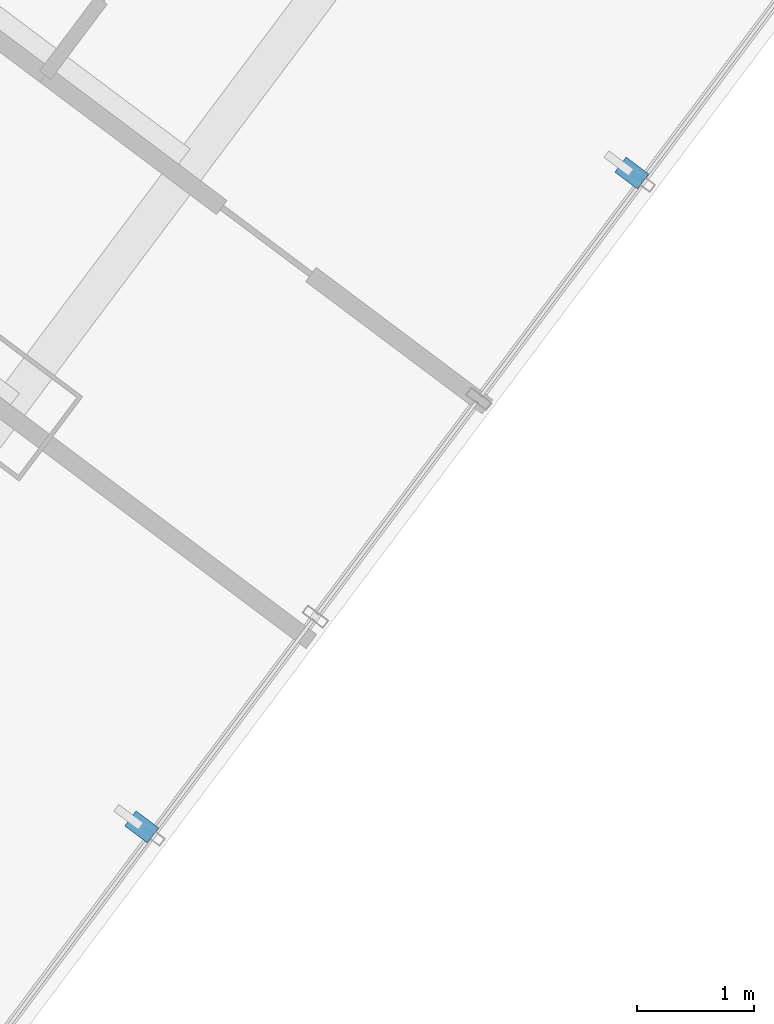
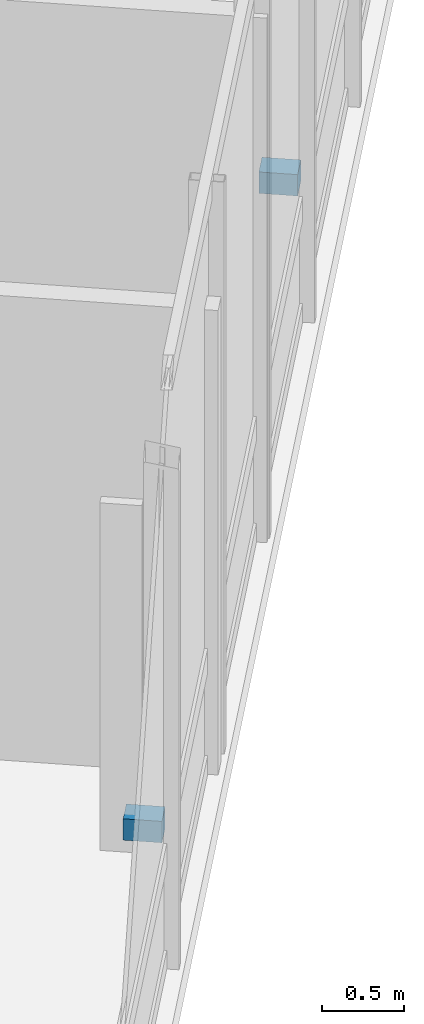
# One storey, part 21 of 27: 2 discrete accessories.
"""IFC4 building model written with IfcOpenShell, lengths in metres."""

from ifc_helpers import new_model, si_unit, direction, frame, origin, origin_2d, place, context, subcontext, project, spatial, rectangle, extrude, material, type_object, element, save


model = new_model("IFC4")

# Units and contexts
model_context = context("Model", 3, precision=1e-05, world=origin(), true_north=direction((0.0, 1.0)))
body_context = subcontext(model_context, "Body", "Model", "MODEL_VIEW")
ifc_project = project(units=[si_unit("LENGTHUNIT", "METRE"), si_unit("AREAUNIT", "SQUARE_METRE"), si_unit("VOLUMEUNIT", "CUBIC_METRE"), si_unit("PLANEANGLEUNIT", "RADIAN"), si_unit("MASSUNIT", "GRAM", prefix="KILO")], contexts=[model_context])

# Site, building, storey
site_placement = place(None, origin())
site = spatial("IfcSite", under=ifc_project, at=site_placement, CompositionType="ELEMENT")
building_placement = place(site_placement, origin())
building = spatial("IfcBuilding", under=site, at=building_placement, Name="Hatsunagi Terrace Concourse", CompositionType="ELEMENT")
storey_placement = place(building_placement, frame((0.0, 0.0, 70.10009765625)))
storey = spatial("IfcBuildingStorey", under=building, at=storey_placement, Name="L18", CompositionType="ELEMENT", Elevation=70.10009765625)

# Discrete accessories
ifc_material = material(Name="Stainless Steel SUS316 Bracket", Category="steel")
discrete_accessory_type = type_object("IfcDiscreteAccessoryType", Name="FacadeScreenSupportBracket_SS", PredefinedType="BRACKET", material=ifc_material)
for number, where, z_axis, x_axis, name in (
    (1, (64.827880859375, 14.155029296875, 0.9697265625), (0.0, 0.0, 1.0), (-0.599969314634, -0.800023013105, 0.0), "Terracotta Screen Bracket BRK-01"),
    (2, (60.652099609375, 8.5849609375, 0.9697265625), (0.0, 0.0, 1.0), (-0.599969314634, -0.800023013105, 0.0), "Terracotta Screen Bracket BRK-01"),
):
    element("IfcDiscreteAccessory", number, at=place(storey_placement, frame(where, z_axis=z_axis, x_axis=x_axis)), inside=storey, type_object=discrete_accessory_type, Name=name, PredefinedType="BRACKET", context=body_context, shape_type="SweptSolid", body=[
        extrude(rectangle(XDim=0.159912109375, YDim=0.239990234375, at=origin_2d()), origin(), (0.0, 0.0, 1.0), 0.159912109375),
    ])

save(model, "model.ifc")
